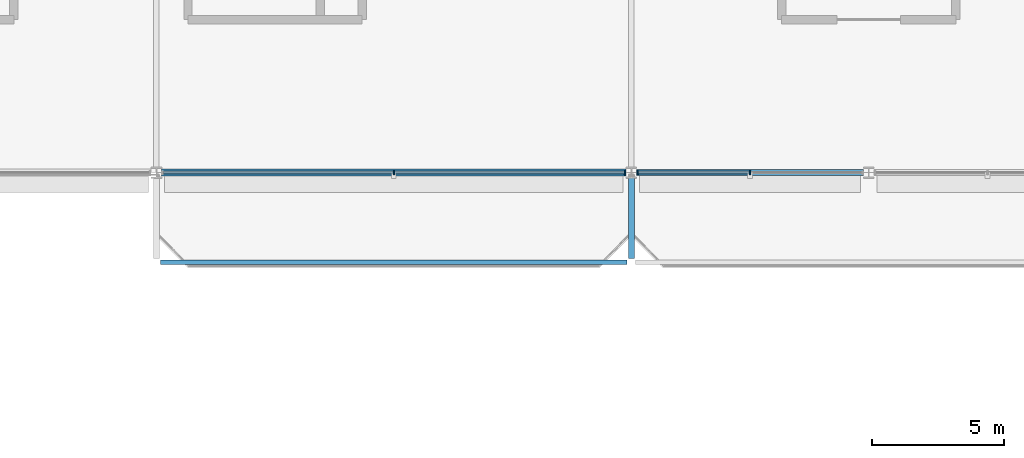
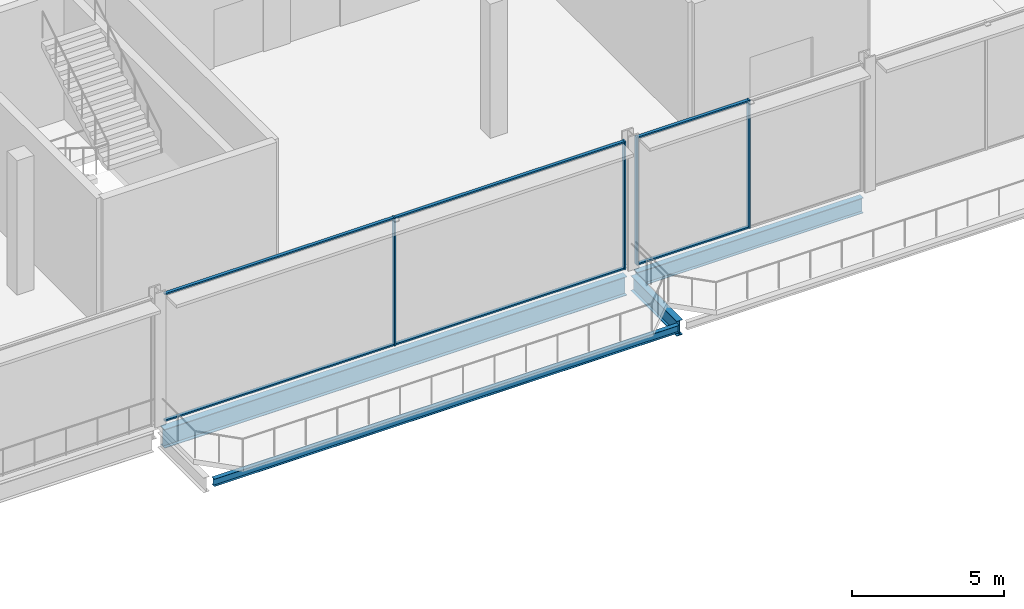
# One storey, part 36 of 113: 10 members, 4 beams, 2 elements without a shape of their own.
"""IFC4 building model written with IfcOpenShell, lengths in metres."""

from ifc_helpers import new_model, si_unit, direction, frame, origin, origin_2d, place, context, subcontext, project, spatial, rectangle, i_section, extrude, material, layer, layer_set, material_profile, profile_set, type_object, element, aggregate, save


model = new_model("IFC4")

# Units and contexts
model_context = context("Model", 3, precision=1e-05, world=origin(), true_north=direction((0.0, 1.0)))
body_context = subcontext(model_context, "Body", "Model", "MODEL_VIEW")
ifc_project = project(units=[si_unit("LENGTHUNIT", "METRE"), si_unit("AREAUNIT", "SQUARE_METRE"), si_unit("VOLUMEUNIT", "CUBIC_METRE"), si_unit("PLANEANGLEUNIT", "RADIAN"), si_unit("MASSUNIT", "GRAM", prefix="KILO")], contexts=[model_context])

# Site, building, storey
site_placement = place(None, origin())
site = spatial("IfcSite", under=ifc_project, at=site_placement, CompositionType="ELEMENT")
building_placement = place(site_placement, origin())
building = spatial("IfcBuilding", under=site, at=building_placement, Name="Kisiwana Market Hall", CompositionType="ELEMENT")
storey_placement = place(building_placement, frame((0.0, 0.0, 6.0)))
storey = spatial("IfcBuildingStorey", under=building, at=storey_placement, Name="L01", CompositionType="ELEMENT", Elevation=6.0)

# Beams
ifc_material_1 = material(Name="Steel S355", Category="steel")
ifc_material_profile_1 = material_profile(ifc_material_1, i_section(OverallWidth=0.2275390625, OverallDepth=0.6025390625, WebThickness=0.010498046875, FlangeThickness=0.014892578125, at=origin_2d()), Name="UB 610x229x101")
ifc_profile_set_1 = profile_set([ifc_material_profile_1], Name="Steel S355")
beam_type_1 = type_object("IfcBeamType", Name="BM-CANT-PROW", PredefinedType="BEAM", material=ifc_profile_set_1)
beam_1_placement = place(storey_placement, frame((81.0, 83.78662109375, -0.501220703125), z_axis=(0.0, -1.0, 0.0), x_axis=(1.0, 0.0, 0.0)))
element("IfcBeam", 1, at=beam_1_placement, inside=storey, type_object=beam_type_1, Name="Gallery prow girder B-0582", PredefinedType="BEAM", context=body_context, shape_type="SweptSolid", body=[
    extrude(i_section(OverallWidth=0.2275390625, OverallDepth=0.6025390625, WebThickness=0.010498046875, FlangeThickness=0.014892578125, at=origin_2d()), origin(), (0.0, 0.0, 1.0), 3.03662109375),
])
ifc_material_2 = material(Name="Steel S355", Category="steel")
ifc_material_profile_2 = material_profile(ifc_material_2, i_section(OverallWidth=0.22900390625, OverallDepth=0.6123046875, WebThickness=0.011962890625, FlangeThickness=0.01953125, at=origin_2d()), Name="UB 610x229x125")
ifc_profile_set_2 = profile_set([ifc_material_profile_2], Name="Steel S355")
beam_type_2 = type_object("IfcBeamType", Name="BM-GIRD-UB610H", PredefinedType="BEAM", material=ifc_profile_set_2)
beam_2_placement = place(storey_placement, frame((81.201904296875, 84.0, -0.55615234375), z_axis=(1.0, 0.0, 0.0), x_axis=(0.0, 1.0, 0.0)))
element("IfcBeam", 2, at=beam_2_placement, inside=storey, type_object=beam_type_2, Name="Floor beam B-0509", PredefinedType="BEAM", context=body_context, shape_type="SweptSolid", body=[
    extrude(i_section(OverallWidth=0.22900390625, OverallDepth=0.6123046875, WebThickness=0.011962890625, FlangeThickness=0.01953125, at=origin_2d()), origin(), (0.0, 0.0, 1.0), 8.59619140625),
])
ifc_material_3 = material(Name="Steel S355", Category="steel")
ifc_material_profile_3 = material_profile(ifc_material_3, i_section(OverallWidth=0.2666015625, OverallDepth=0.76220703125, WebThickness=0.014404296875, FlangeThickness=0.021484375, at=origin_2d()), Name="UB 762x267x173")
ifc_profile_set_3 = profile_set([ifc_material_profile_3], Name="Steel S355")
beam_type_3 = type_object("IfcBeamType", Name="BM-GIRD-UB762", PredefinedType="BEAM", material=ifc_profile_set_3)
beam_3_placement = place(storey_placement, frame((63.201904296875, 84.0, -0.631103515625), z_axis=(1.0, 0.0, 0.0), x_axis=(0.0, 1.0, 0.0)))
element("IfcBeam", 3, at=beam_3_placement, inside=storey, type_object=beam_type_3, Name="Floor beam B-0508", PredefinedType="BEAM", context=body_context, shape_type="SweptSolid", body=[
    extrude(i_section(OverallWidth=0.2666015625, OverallDepth=0.76220703125, WebThickness=0.014404296875, FlangeThickness=0.021484375, at=origin_2d()), origin(), (0.0, 0.0, 1.0), 17.59619140625),
])
ifc_material_4 = material(Name="Steel S355", Category="steel")
ifc_material_profile_4 = material_profile(ifc_material_4, i_section(OverallWidth=0.1650390625, OverallDepth=0.303466796875, WebThickness=0.006103515625, FlangeThickness=0.01025390625, at=origin_2d()), Name="UB 305x165x40")
ifc_profile_set_4 = profile_set([ifc_material_profile_4], Name="Steel S355")
beam_type_4 = type_object("IfcBeamType", Name="BM-JOIST-UB305", PredefinedType="JOIST", material=ifc_profile_set_4)
beam_4_placement = place(storey_placement, frame((63.159912109375, 80.60009765625, -0.351806640625), z_axis=(1.0, 0.0, 0.0), x_axis=(0.0, 1.0, 0.0)))
element("IfcBeam", 4, at=beam_4_placement, inside=storey, type_object=beam_type_4, Name="Prow edge tie B-0584", PredefinedType="JOIST", context=body_context, shape_type="SweptSolid", body=[
    extrude(i_section(OverallWidth=0.1650390625, OverallDepth=0.303466796875, WebThickness=0.006103515625, FlangeThickness=0.01025390625, at=origin_2d()), origin(), (0.0, 0.0, 1.0), 17.68017578125),
])

# Curtain wall, members
ifc_material_5 = material(Name="Double-glazed solar-control low-E IGU", Category="glass")
ifc_layer = layer(ifc_material_5, 0.159912109375)
ifc_layer_set = layer_set([ifc_layer], Name="CW-FC-S-7600")
curtain_wall_type = type_object("IfcCurtainWallType", Name="CW-FC-S-7600", PredefinedType="USERDEFINED", material=ifc_layer_set)
curtain_wall_1_placement = place(storey_placement, origin())
curtain_wall_1 = element("IfcCurtainWall", 5, at=curtain_wall_1_placement, inside=storey, type_object=curtain_wall_type, Name="Unitised curtain wall CW-026 (L01)", ObjectType="UNITISED CURTAIN WALL", PredefinedType="USERDEFINED")
ifc_material_6 = material(Name="Aluminium alloy 6063-T6", Category="aluminium")
ifc_material_profile_5 = material_profile(ifc_material_6, rectangle(XDim=0.06005859375, YDim=0.159912109375, at=origin_2d()), Name="ALU MULLION 60x160")
ifc_profile_set_5 = profile_set([ifc_material_profile_5], Name="Aluminium alloy 6063-T6")
member_type_1 = type_object("IfcMemberType", Name="CW-MULL-60x160", PredefinedType="MULLION", material=ifc_profile_set_5)
member_1_placement = place(storey_placement, frame((72.0, 84.0, 0.0), z_axis=(0.0, 0.0, 1.0), x_axis=(1.0, 0.0, 0.0)))
member_1 = element("IfcMember", 6, at=member_1_placement, type_object=member_type_1, Name="CW-026 mullion 2", PredefinedType="MULLION", context=body_context, shape_type="SweptSolid", body=[
    extrude(rectangle(XDim=0.06005859375, YDim=0.159912109375, at=origin_2d()), origin(), (0.0, 0.0, 1.0), 5.14990234375),
])
member_2_placement = place(storey_placement, frame((80.763916015625, 84.0, 0.0), z_axis=(0.0, 0.0, 1.0), x_axis=(1.0, 0.0, 0.0)))
member_2 = element("IfcMember", 7, at=member_2_placement, type_object=member_type_1, Name="CW-026 mullion 3", PredefinedType="MULLION", context=body_context, shape_type="SweptSolid", body=[
    extrude(rectangle(XDim=0.06005859375, YDim=0.159912109375, at=origin_2d()), origin(), (0.0, 0.0, 1.0), 5.14990234375),
])

curtain_wall_2_placement = place(storey_placement, origin())
curtain_wall_2 = element("IfcCurtainWall", 8, at=curtain_wall_2_placement, inside=storey, type_object=curtain_wall_type, Name="Unitised curtain wall CW-027 (L01)", ObjectType="UNITISED CURTAIN WALL", PredefinedType="USERDEFINED")
member_3_placement = place(storey_placement, frame((81.236083984375, 84.0, 0.0), z_axis=(0.0, 0.0, 1.0), x_axis=(1.0, 0.0, 0.0)))
member_3 = element("IfcMember", 9, at=member_3_placement, type_object=member_type_1, Name="CW-027 mullion 1", PredefinedType="MULLION", context=body_context, shape_type="SweptSolid", body=[
    extrude(rectangle(XDim=0.06005859375, YDim=0.159912109375, at=origin_2d()), origin(), (0.0, 0.0, 1.0), 5.14990234375),
])
member_4_placement = place(storey_placement, frame((85.5, 84.0, 0.0), z_axis=(0.0, 0.0, 1.0), x_axis=(1.0, 0.0, 0.0)))
member_4 = element("IfcMember", 10, at=member_4_placement, type_object=member_type_1, Name="CW-027 mullion 2", PredefinedType="MULLION", context=body_context, shape_type="SweptSolid", body=[
    extrude(rectangle(XDim=0.06005859375, YDim=0.159912109375, at=origin_2d()), origin(), (0.0, 0.0, 1.0), 5.14990234375),
])

# Member
ifc_material_7 = material(Name="Aluminium alloy 6063-T6", Category="aluminium")
ifc_material_profile_6 = material_profile(ifc_material_7, rectangle(XDim=0.1201171875, YDim=0.06005859375, at=origin_2d()), Name="ALU TRANSOM 60x120")
ifc_profile_set_6 = profile_set([ifc_material_profile_6], Name="Aluminium alloy 6063-T6")
member_type_2 = type_object("IfcMemberType", Name="CW-TRAN-60x120", PredefinedType="USERDEFINED", material=ifc_profile_set_6)
member_5_placement = place(storey_placement, frame((63.26611328125, 84.0, 0.030029296875), z_axis=(1.0, 0.0, 0.0), x_axis=(0.0, 1.0, 0.0)))
member_5 = element("IfcMember", 11, at=member_5_placement, type_object=member_type_2, Name="CW-026 transom 1.1", ObjectType="TRANSOM", PredefinedType="USERDEFINED", context=body_context, shape_type="SweptSolid", body=[
    extrude(rectangle(XDim=0.1201171875, YDim=0.06005859375, at=origin_2d()), origin(), (0.0, 0.0, 1.0), 8.703857421875),
])

member_6_placement = place(storey_placement, frame((63.26611328125, 84.0, 5.1201171875), z_axis=(1.0, 0.0, 0.0), x_axis=(0.0, 1.0, 0.0)))
member_6 = element("IfcMember", 12, at=member_6_placement, type_object=member_type_2, Name="CW-026 transom 1.2", ObjectType="TRANSOM", PredefinedType="USERDEFINED", context=body_context, shape_type="SweptSolid", body=[
    extrude(rectangle(XDim=0.1201171875, YDim=0.06005859375, at=origin_2d()), origin(), (0.0, 0.0, 1.0), 8.703857421875),
])

member_7_placement = place(storey_placement, frame((72.030029296875, 84.0, 0.030029296875), z_axis=(1.0, 0.0, 0.0), x_axis=(0.0, 1.0, 0.0)))
member_7 = element("IfcMember", 13, at=member_7_placement, type_object=member_type_2, Name="CW-026 transom 2.1", ObjectType="TRANSOM", PredefinedType="USERDEFINED", context=body_context, shape_type="SweptSolid", body=[
    extrude(rectangle(XDim=0.1201171875, YDim=0.06005859375, at=origin_2d()), origin(), (0.0, 0.0, 1.0), 8.703857421875),
])

member_8_placement = place(storey_placement, frame((72.030029296875, 84.0, 5.1201171875), z_axis=(1.0, 0.0, 0.0), x_axis=(0.0, 1.0, 0.0)))
member_8 = element("IfcMember", 14, at=member_8_placement, type_object=member_type_2, Name="CW-026 transom 2.2", ObjectType="TRANSOM", PredefinedType="USERDEFINED", context=body_context, shape_type="SweptSolid", body=[
    extrude(rectangle(XDim=0.1201171875, YDim=0.06005859375, at=origin_2d()), origin(), (0.0, 0.0, 1.0), 8.703857421875),
])

aggregate(curtain_wall_1, [member_1, member_2, member_5, member_6, member_7, member_8])

member_9_placement = place(storey_placement, frame((81.26611328125, 84.0, 0.030029296875), z_axis=(1.0, 0.0, 0.0), x_axis=(0.0, 1.0, 0.0)))
member_9 = element("IfcMember", 15, at=member_9_placement, type_object=member_type_2, Name="CW-027 transom 1.1", ObjectType="TRANSOM", PredefinedType="USERDEFINED", context=body_context, shape_type="SweptSolid", body=[
    extrude(rectangle(XDim=0.1201171875, YDim=0.06005859375, at=origin_2d()), origin(), (0.0, 0.0, 1.0), 4.203857421875),
])

member_10_placement = place(storey_placement, frame((81.26611328125, 84.0, 5.1201171875), z_axis=(1.0, 0.0, 0.0), x_axis=(0.0, 1.0, 0.0)))
member_10 = element("IfcMember", 16, at=member_10_placement, type_object=member_type_2, Name="CW-027 transom 1.2", ObjectType="TRANSOM", PredefinedType="USERDEFINED", context=body_context, shape_type="SweptSolid", body=[
    extrude(rectangle(XDim=0.1201171875, YDim=0.06005859375, at=origin_2d()), origin(), (0.0, 0.0, 1.0), 4.203857421875),
])

aggregate(curtain_wall_2, [member_3, member_4, member_9, member_10])

save(model, "model.ifc")
